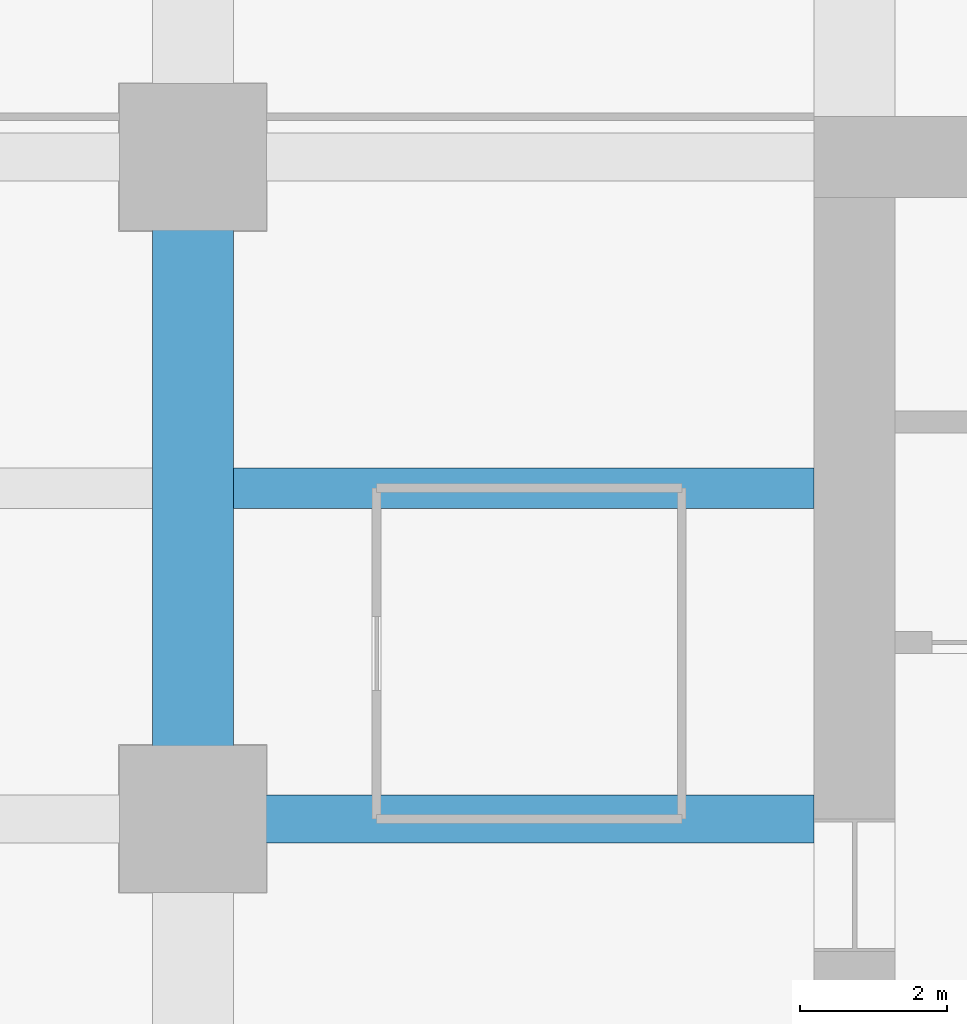
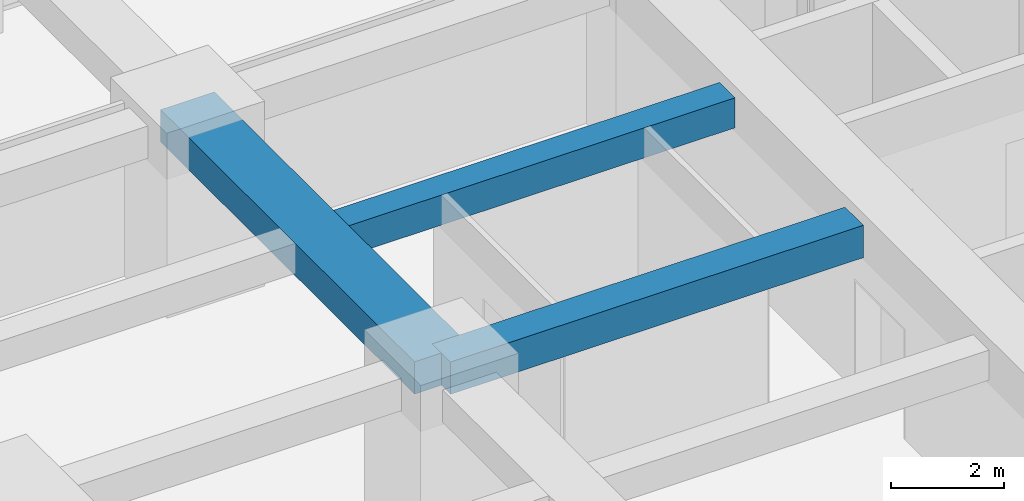
# One storey, part 12 of 39: 3 beams.
"""IFC4 building model written with IfcOpenShell, lengths in metres."""

from ifc_helpers import new_model, si_unit, direction, frame, origin, origin_2d, place, context, subcontext, project, spatial, rectangle, extrude, material, material_profile, profile_set, type_object, element, save


model = new_model("IFC4")

# Units and contexts
model_context = context("Model", 3, precision=1e-05, world=origin(), true_north=direction((0.0, 1.0)))
body_context = subcontext(model_context, "Body", "Model", "MODEL_VIEW")
ifc_project = project(units=[si_unit("LENGTHUNIT", "METRE"), si_unit("AREAUNIT", "SQUARE_METRE"), si_unit("VOLUMEUNIT", "CUBIC_METRE"), si_unit("PLANEANGLEUNIT", "RADIAN"), si_unit("MASSUNIT", "GRAM", prefix="KILO")], contexts=[model_context])

# Site, building, storey
site_placement = place(None, origin())
site = spatial("IfcSite", under=ifc_project, at=site_placement, CompositionType="ELEMENT")
building_placement = place(site_placement, origin())
building = spatial("IfcBuilding", under=site, at=building_placement, Name="Zorevar Civic Tower", CompositionType="ELEMENT")
storey_placement = place(building_placement, frame((0.0, 0.0, 121.0)))
storey = spatial("IfcBuildingStorey", under=building, at=storey_placement, Name="L29", CompositionType="ELEMENT", Elevation=121.0)

# Beams
ifc_material_1 = material(Name="Concrete C50/60", Category="concrete")
ifc_material_profile_1 = material_profile(ifc_material_1, rectangle(XDim=1.10009765625, YDim=0.699951171875, at=origin_2d()), Name="RC 1100x700")
ifc_profile_set_1 = profile_set([ifc_material_profile_1], Name="Concrete C50/60")
beam_type_1 = type_object("IfcBeamType", Name="Beam RC 1100x700", PredefinedType="BEAM", material=ifc_profile_set_1)
beam_1_placement = place(storey_placement, frame((9.0, 27.0, 3.39990234375), z_axis=(0.0, 1.0, 0.0), x_axis=(-1.0, 0.0, 0.0)))
element("IfcBeam", 1, at=beam_1_placement, inside=storey, type_object=beam_type_1, Name="Girder L30", PredefinedType="BEAM", context=body_context, shape_type="SweptSolid", body=[
    extrude(rectangle(XDim=1.10009765625, YDim=0.699951171875, at=origin_2d()), origin(), (0.0, 0.0, 1.0), 9.0),
])
ifc_material_2 = material(Name="Concrete C50/60", Category="concrete")
ifc_material_profile_2 = material_profile(ifc_material_2, rectangle(XDim=0.550048828125, YDim=0.64990234375, at=origin_2d()), Name="RC 550x650")
ifc_profile_set_2 = profile_set([ifc_material_profile_2], Name="Concrete C50/60")
beam_type_2 = type_object("IfcBeamType", Name="Beam RC 550x650", PredefinedType="BEAM", material=ifc_profile_set_2)
beam_2_placement = place(storey_placement, frame((9.550048828125, 31.5, 3.425048828125), z_axis=(1.0, 0.0, 0.0), x_axis=(0.0, 1.0, 0.0)))
element("IfcBeam", 2, at=beam_2_placement, inside=storey, type_object=beam_type_2, Name="Secondary beam L30", PredefinedType="BEAM", context=body_context, shape_type="SweptSolid", body=[
    extrude(rectangle(XDim=0.550048828125, YDim=0.64990234375, at=origin_2d()), origin(), (0.0, 0.0, 1.0), 7.89990234375),
])
ifc_material_3 = material(Name="Concrete C50/60", Category="concrete")
ifc_material_profile_3 = material_profile(ifc_material_3, rectangle(XDim=0.64990234375, YDim=0.699951171875, at=origin_2d()), Name="RC 650x700")
ifc_profile_set_3 = profile_set([ifc_material_profile_3], Name="Concrete C50/60")
beam_type_3 = type_object("IfcBeamType", Name="Beam RC 650x700", PredefinedType="BEAM", material=ifc_profile_set_3)
beam_3_placement = place(storey_placement, frame((9.0, 27.0, 3.39990234375), z_axis=(1.0, 0.0, 0.0), x_axis=(0.0, 1.0, 0.0)))
element("IfcBeam", 3, at=beam_3_placement, inside=storey, type_object=beam_type_3, Name="Girder L30", PredefinedType="BEAM", context=body_context, shape_type="SweptSolid", body=[
    extrude(rectangle(XDim=0.64990234375, YDim=0.699951171875, at=origin_2d()), origin(), (0.0, 0.0, 1.0), 8.449951171875),
])

save(model, "model.ifc")
